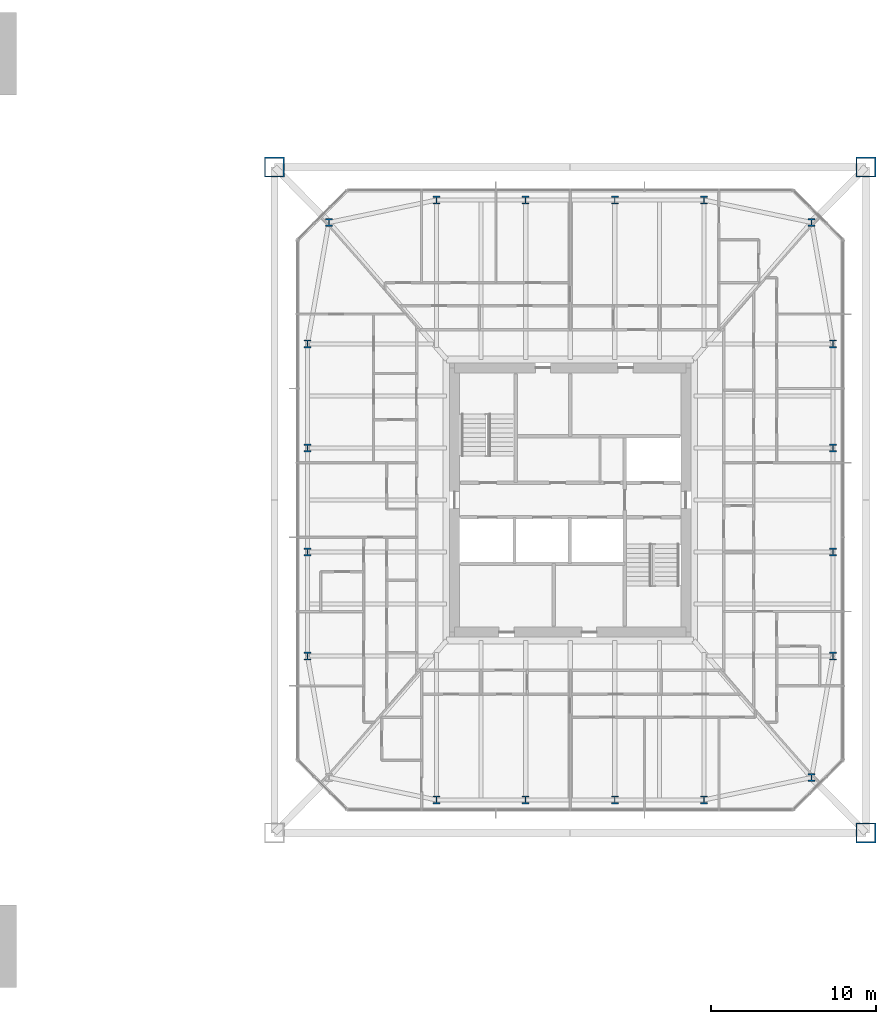
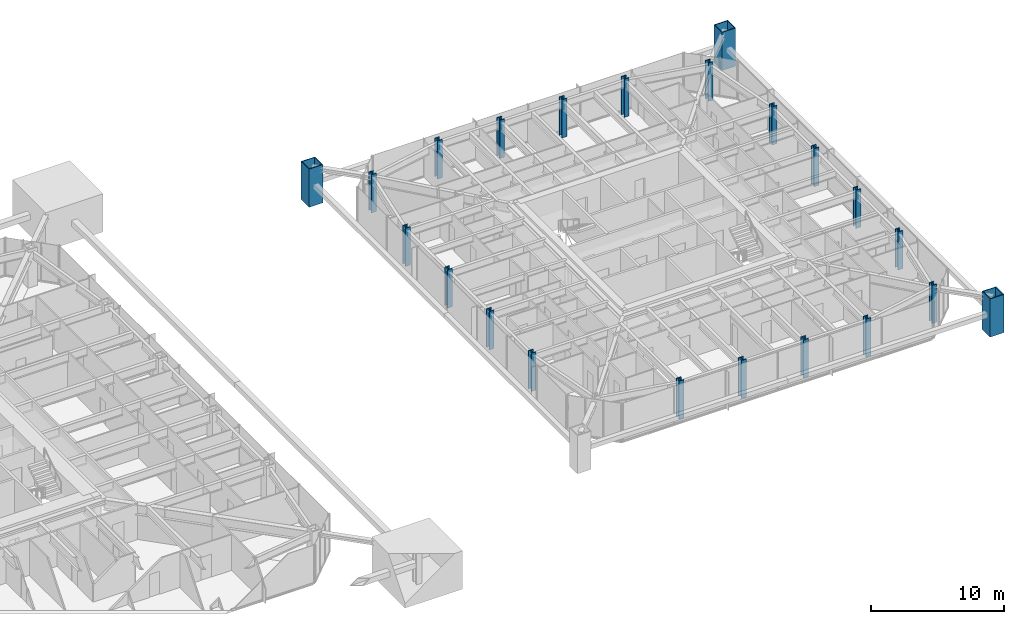
# One storey, part 2 of 27: 22 columns.
"""IFC4 building model written with IfcOpenShell, lengths in metres."""

from ifc_helpers import new_model, si_unit, direction, frame, origin, origin_2d, place, context, subcontext, project, spatial, hollow_rectangle, i_section, extrude, material, material_profile, profile_set, type_object, element, save


model = new_model("IFC4")

# Units and contexts
model_context = context("Model", 3, precision=1e-05, world=origin(), true_north=direction((0.0, 1.0)))
body_context = subcontext(model_context, "Body", "Model", "MODEL_VIEW")
ifc_project = project(units=[si_unit("LENGTHUNIT", "METRE"), si_unit("AREAUNIT", "SQUARE_METRE"), si_unit("VOLUMEUNIT", "CUBIC_METRE"), si_unit("PLANEANGLEUNIT", "RADIAN"), si_unit("MASSUNIT", "GRAM", prefix="KILO")], contexts=[model_context])

# Site, building, storey
site_placement = place(None, origin())
site = spatial("IfcSite", under=ifc_project, at=site_placement, CompositionType="ELEMENT")
building_placement = place(site_placement, origin())
building = spatial("IfcBuilding", under=site, at=building_placement, Name="Iwan Alto Co-Living Towers", CompositionType="ELEMENT")
storey_placement = place(building_placement, frame((0.0, 0.0, 53.5)))
storey = spatial("IfcBuildingStorey", under=building, at=storey_placement, Name="L14", CompositionType="ELEMENT", Elevation=53.5)

# Columns
ifc_material_1 = material(Name="Steel ASTM A572 Gr 50", Category="steel")
ifc_material_profile_1 = material_profile(ifc_material_1, hollow_rectangle(XDim=1.199951171875, YDim=1.199951171875, WallThickness=0.070068359375, at=origin_2d()), Name="BOX 1200X1200X70")
ifc_profile_set_1 = profile_set([ifc_material_profile_1], Name="Steel ASTM A572 Gr 50")
column_type_1 = type_object("IfcColumnType", Name="T2 MEGA COLUMN BOX 1200X1200X70", PredefinedType="COLUMN", material=ifc_profile_set_1)
for number, where, z_axis, x_axis, name in (
    (1, (80.89990234375, -20.14990234375, 0.0), (0.0, 0.0, 1.0), (1.0, 0.0, 0.0), "T2 mega column SE L14"),
    (2, (80.89990234375, 20.14990234375, 0.0), (0.0, 0.0, 1.0), (1.0, 0.0, 0.0), "T2 mega column NE L14"),
    (3, (45.10009765625, 20.14990234375, 0.0), (0.0, 0.0, 1.0), (1.0, 0.0, 0.0), "T2 mega column NW L14"),
):
    element("IfcColumn", number, at=place(storey_placement, frame(where, z_axis=z_axis, x_axis=x_axis)), inside=storey, type_object=column_type_1, Name=name, PredefinedType="COLUMN", context=body_context, shape_type="SweptSolid", body=[
        extrude(hollow_rectangle(XDim=1.199951171875, YDim=1.199951171875, WallThickness=0.070068359375, at=origin_2d()), origin(), (0.0, 0.0, 1.0), 3.5),
    ])
ifc_material_2 = material(Name="Steel ASTM A992 Gr 50", Category="steel")
ifc_material_profile_2 = material_profile(ifc_material_2, i_section(OverallWidth=0.424072265625, OverallDepth=0.47509765625, WebThickness=0.0478515625, FlangeThickness=0.0771484375, at=origin_2d()), Name="W14X426")
ifc_profile_set_2 = profile_set([ifc_material_profile_2], Name="Steel ASTM A992 Gr 50")
column_type_2 = type_object("IfcColumnType", Name="T2 RING COLUMN W14X426", PredefinedType="COLUMN", material=ifc_profile_set_2)
for number, where, z_axis, x_axis, name in (
    (4, (54.89990234375, -18.14990234375, 0.0), (0.0, 0.0, 1.0), (1.0, 0.0, 0.0), "T2 ring column S1 L14"),
    (5, (60.300048828125, -18.14990234375, 0.0), (0.0, 0.0, 1.0), (1.0, 0.0, 0.0), "T2 ring column S2 L14"),
    (6, (65.699951171875, -18.14990234375, 0.0), (0.0, 0.0, 1.0), (1.0, 0.0, 0.0), "T2 ring column S3 L14"),
    (7, (71.10009765625, -18.14990234375, 0.0), (0.0, 0.0, 1.0), (1.0, 0.0, 0.0), "T2 ring column S4 L14"),
    (8, (77.606201171875, -16.797119140625, 0.0), (0.0, 0.0, 1.0), (1.0, 0.0, 0.0), "T2 ring column CSE L14"),
    (9, (78.89990234375, -9.449951171875, 0.0), (0.0, 0.0, 1.0), (1.0, 0.0, 0.0), "T2 ring column E1 L14"),
    (10, (78.89990234375, -3.14990234375, 0.0), (0.0, 0.0, 1.0), (1.0, 0.0, 0.0), "T2 ring column E2 L14"),
    (11, (78.89990234375, 3.14990234375, 0.0), (0.0, 0.0, 1.0), (1.0, 0.0, 0.0), "T2 ring column E3 L14"),
    (12, (78.89990234375, 9.449951171875, 0.0), (0.0, 0.0, 1.0), (1.0, 0.0, 0.0), "T2 ring column E4 L14"),
    (13, (77.606201171875, 16.797119140625, 0.0), (0.0, 0.0, 1.0), (1.0, 0.0, 0.0), "T2 ring column CNE L14"),
    (14, (71.10009765625, 18.14990234375, 0.0), (0.0, 0.0, 1.0), (1.0, 0.0, 0.0), "T2 ring column N1 L14"),
    (15, (65.699951171875, 18.14990234375, 0.0), (0.0, 0.0, 1.0), (1.0, 0.0, 0.0), "T2 ring column N2 L14"),
    (16, (60.300048828125, 18.14990234375, 0.0), (0.0, 0.0, 1.0), (1.0, 0.0, 0.0), "T2 ring column N3 L14"),
    (17, (54.89990234375, 18.14990234375, 0.0), (0.0, 0.0, 1.0), (1.0, 0.0, 0.0), "T2 ring column N4 L14"),
    (18, (48.393798828125, 16.797119140625, 0.0), (0.0, 0.0, 1.0), (1.0, 0.0, 0.0), "T2 ring column CNW L14"),
    (19, (47.10009765625, 9.449951171875, 0.0), (0.0, 0.0, 1.0), (1.0, 0.0, 0.0), "T2 ring column W1 L14"),
    (20, (47.10009765625, 3.14990234375, 0.0), (0.0, 0.0, 1.0), (1.0, 0.0, 0.0), "T2 ring column W2 L14"),
    (21, (47.10009765625, -3.14990234375, 0.0), (0.0, 0.0, 1.0), (1.0, 0.0, 0.0), "T2 ring column W3 L14"),
    (22, (47.10009765625, -9.449951171875, 0.0), (0.0, 0.0, 1.0), (1.0, 0.0, 0.0), "T2 ring column W4 L14"),
):
    element("IfcColumn", number, at=place(storey_placement, frame(where, z_axis=z_axis, x_axis=x_axis)), inside=storey, type_object=column_type_2, Name=name, PredefinedType="COLUMN", context=body_context, shape_type="SweptSolid", body=[
        extrude(i_section(OverallWidth=0.424072265625, OverallDepth=0.47509765625, WebThickness=0.0478515625, FlangeThickness=0.0771484375, at=origin_2d()), origin(), (0.0, 0.0, 1.0), 3.5),
    ])

save(model, "model.ifc")
